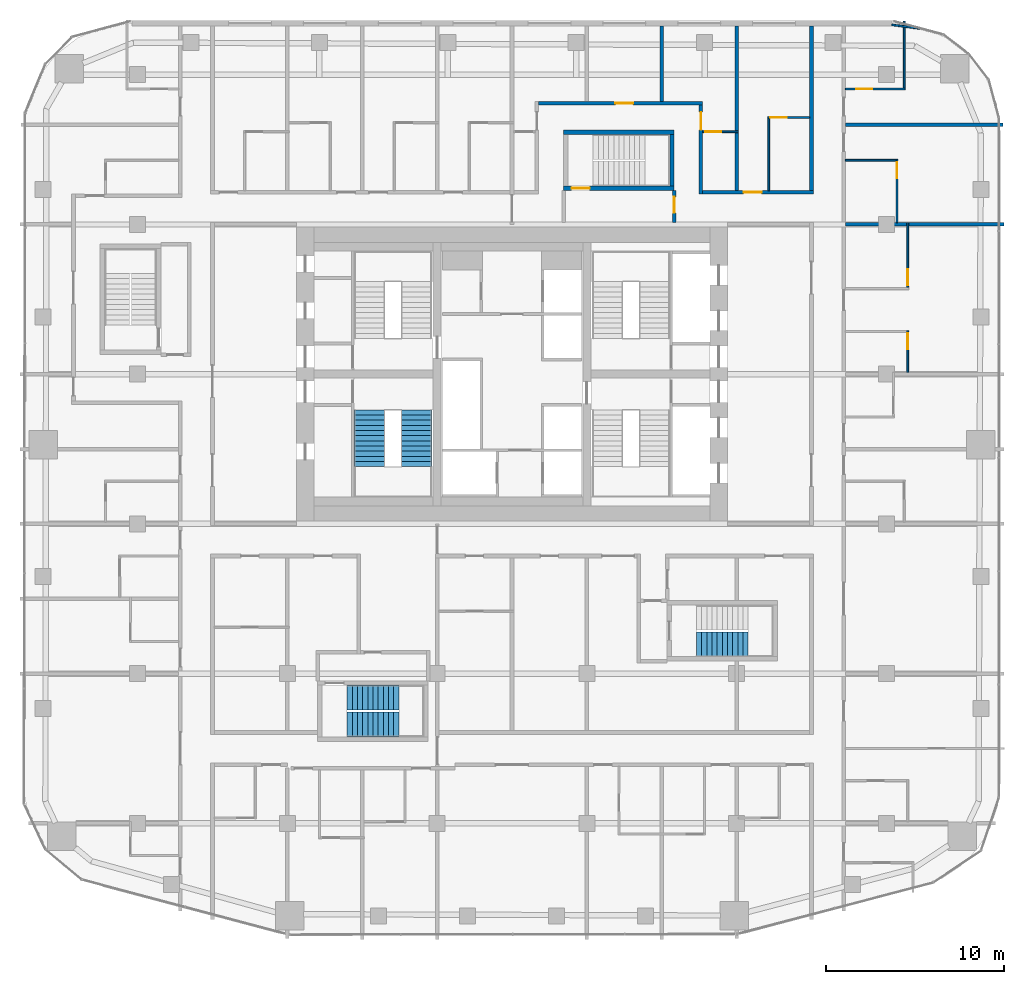
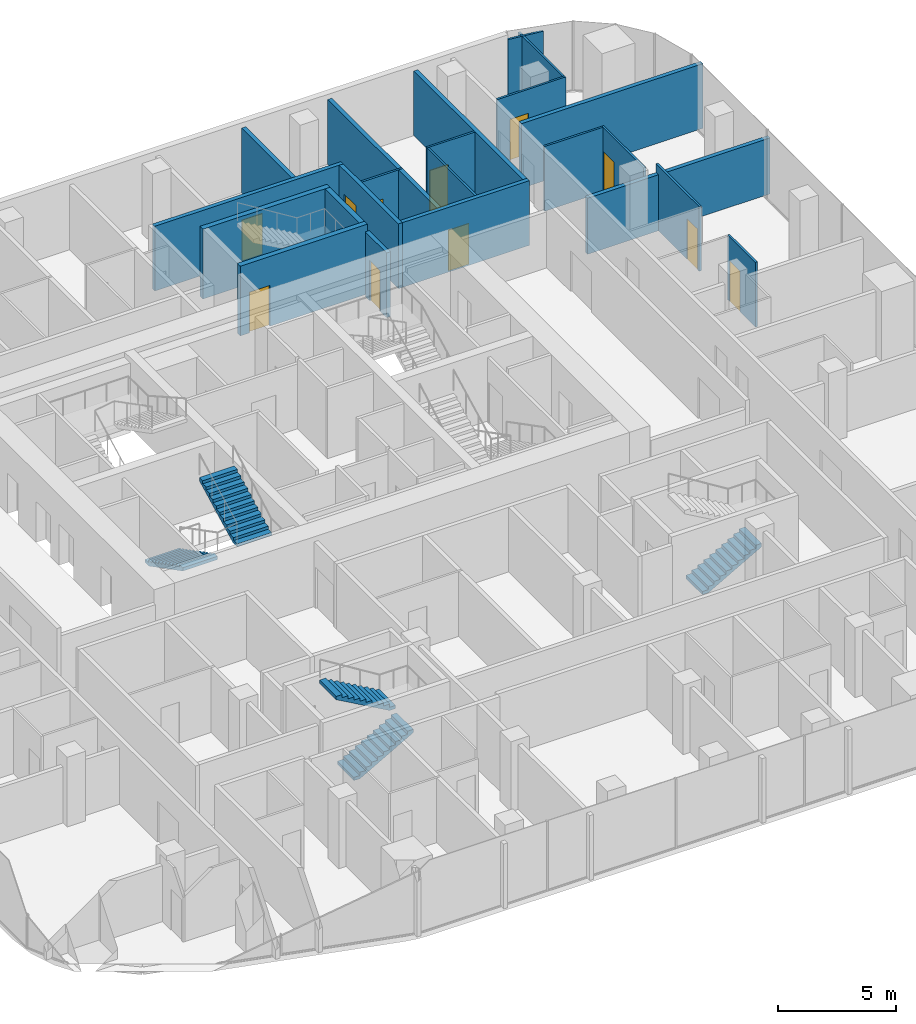
# One storey, part 20 of 23: 22 walls, 11 doors, 5 stair flights, 11 openings, 3 elements without a shape of their own.
"""IFC4 building model written with IfcOpenShell, lengths in metres."""

from ifc_helpers import new_model, si_unit, direction, frame, frame_2d, origin, place, context, subcontext, project, spatial, polyline, rectangle, outline, extrude, material, layer, layer_set, type_object, element, fill, aggregate, save


model = new_model("IFC4")

# Units and contexts
model_context = context("Model", 3, precision=1e-05, world=origin(), true_north=direction((0.0, 1.0)))
body_context = subcontext(model_context, "Body", "Model", "MODEL_VIEW")
ifc_project = project(units=[si_unit("LENGTHUNIT", "METRE"), si_unit("AREAUNIT", "SQUARE_METRE"), si_unit("VOLUMEUNIT", "CUBIC_METRE"), si_unit("PLANEANGLEUNIT", "RADIAN"), si_unit("MASSUNIT", "GRAM", prefix="KILO")], contexts=[model_context])

# Site, building, storey
site_placement = place(None, origin())
site = spatial("IfcSite", under=ifc_project, at=site_placement, CompositionType="ELEMENT")
building_placement = place(site_placement, origin())
building = spatial("IfcBuilding", under=site, at=building_placement, Name="Marenta Gate Hotel Tower", CompositionType="ELEMENT")
storey_placement = place(building_placement, frame((0.0, 0.0, 119.300048828125)))
storey = spatial("IfcBuildingStorey", under=building, at=storey_placement, Name="L26", CompositionType="ELEMENT", Elevation=119.300048828125)

# Wall, opening, door
ifc_material_1 = material(Name="Concrete C40", Category="concrete")
ifc_layer_1 = layer(ifc_material_1, 0.25)
ifc_layer_set_1 = layer_set([ifc_layer_1], Name="Concrete C40")
wall_type_1 = type_object("IfcWallType", Name="Remote stair enclosure wall 250 REI 180", PredefinedType="SHEAR", material=ifc_layer_set_1)
wall_1_placement = place(storey_placement, frame((2.89990234375, 18.824951171875, 0.099853515625), z_axis=(0.0, 0.0, 1.0), x_axis=(1.0, 0.0, 0.0)))
wall_1 = element("IfcWall", 1, at=wall_1_placement, inside=storey, type_object=wall_type_1, Name="L26-RS-Z2-4-W1", PredefinedType="SHEAR", context=body_context, shape_type="SweptSolid", body=[
    extrude(rectangle(XDim=6.2001953125, YDim=0.25, at=frame_2d((3.10009765625, 0.0))), origin(), (0.0, 0.0, 1.0), 3.60009765625),
])
opening_1_placement = place(wall_1_placement, frame((0.449951171875, 0.0, 0.0)))
opening_1 = element("IfcOpeningElement", 2, at=opening_1_placement, cuts=wall_1, Name="Opening VD", PredefinedType="OPENING", context=body_context, shape_type="SweptSolid", body=[
    extrude(rectangle(XDim=1.0, YDim=2.10009765625, at=frame_2d((0.5, 1.050048828125))), frame((0.0, 0.125, 0.0), z_axis=(0.0, -1.0, 0.0), x_axis=(1.0, 0.0, 0.0)), (0.0, 0.0, 1.0), 0.25),
])
ifc_material_2 = material(Name="Steel", Category="steel")
door_type_1 = type_object("IfcDoorType", Name="Stair vestibule door 1000x2100 FD60", OperationType="SINGLE_SWING_LEFT", PredefinedType="DOOR", material=ifc_material_2)
door_1_placement = place(opening_1_placement, origin())
door_1 = element("IfcDoor", 3, at=door_1_placement, inside=storey, type_object=door_type_1, Name="VD", OperationType="SINGLE_SWING_LEFT", OverallHeight=2.10009765625, OverallWidth=1.0, PredefinedType="DOOR", context=body_context, shape_type="SweptSolid", body=[
    extrude(rectangle(XDim=1.0, YDim=2.10009765625, at=frame_2d((0.5, 1.050048828125))), frame((0.0, 0.02490234375, 0.0), z_axis=(0.0, -1.0, 0.0), x_axis=(1.0, 0.0, 0.0)), (0.0, 0.0, 1.0), 0.050048828125),
])
fill(opening_1, door_1)

# Walls
wall_2_placement = place(storey_placement, frame((2.89990234375, 21.97509765625, 0.099853515625), z_axis=(0.0, 0.0, 1.0), x_axis=(1.0, 0.0, 0.0)))
element("IfcWall", 4, at=wall_2_placement, inside=storey, type_object=wall_type_1, Name="L26-RS-Z2-4-W2", PredefinedType="SHEAR", context=body_context, shape_type="SweptSolid", body=[
    extrude(rectangle(XDim=6.2001953125, YDim=0.25, at=frame_2d((3.10009765625, 0.0))), origin(), (0.0, 0.0, 1.0), 3.60009765625),
])
wall_3_placement = place(storey_placement, frame((8.97509765625, 18.949951171875, 0.099853515625), z_axis=(0.0, 0.0, 1.0), x_axis=(0.0, 1.0, 0.0)))
element("IfcWall", 5, at=wall_3_placement, inside=storey, type_object=wall_type_1, Name="L26-RS-Z2-4-W4", PredefinedType="SHEAR", context=body_context, shape_type="SweptSolid", body=[
    extrude(rectangle(XDim=2.900146484375, YDim=0.25, at=frame_2d((1.4501953125, 0.0))), origin(), (0.0, 0.0, 1.0), 3.60009765625),
])

# Wall, opening, door
ifc_material_3 = material(Name="Concrete blockwork", Category="masonry")
ifc_layer_2 = layer(ifc_material_3, 0.199951171875)
ifc_layer_set_2 = layer_set([ifc_layer_2], Name="Concrete blockwork")
wall_type_2 = type_object("IfcWallType", Name="Room corridor wall 200 EI 120", PredefinedType="PARTITIONING", material=ifc_layer_set_2)
wall_4_placement = place(storey_placement, frame((1.5, 23.60009765625, 0.0), z_axis=(0.0, 0.0, 1.0), x_axis=(1.0, 0.0, 0.0)))
wall_4 = element("IfcWall", 6, at=wall_4_placement, inside=storey, type_object=wall_type_2, Name="L26-PTN-W125", PredefinedType="PARTITIONING", context=body_context, shape_type="SweptSolid", body=[
    extrude(rectangle(XDim=9.199951171875, YDim=0.199951171875, at=frame_2d((4.60009765625, 0.0))), origin(), (0.0, 0.0, 1.0), 3.33984375),
])
opening_2_placement = place(wall_4_placement, frame((4.300048828125, 0.0, 0.0)))
opening_2 = element("IfcOpeningElement", 7, at=opening_2_placement, cuts=wall_4, Name="Opening G09-36", PredefinedType="OPENING", context=body_context, shape_type="SweptSolid", body=[
    extrude(rectangle(XDim=1.0, YDim=2.10009765625, at=frame_2d((0.5, 1.050048828125))), frame((0.0, 0.10009765625, 0.0), z_axis=(0.0, -1.0, 0.0), x_axis=(1.0, 0.0, 0.0)), (0.0, 0.0, 1.0), 0.199951171875),
])
ifc_material_4 = material(Name="Hollow steel door set", Category="steel")
door_type_2 = type_object("IfcDoorType", Name="Room service door 1000x2100 EI 60", OperationType="NOTDEFINED", PredefinedType="DOOR", material=ifc_material_4)
door_2_placement = place(opening_2_placement, origin())
door_2 = element("IfcDoor", 8, at=door_2_placement, inside=storey, type_object=door_type_2, Name="L26-PD-D036", OperationType="SINGLE_SWING_LEFT", OverallHeight=2.10009765625, OverallWidth=1.0, PredefinedType="DOOR", context=body_context, shape_type="SweptSolid", body=[
    extrude(rectangle(XDim=1.0, YDim=2.10009765625, at=frame_2d((0.5, 1.050048828125))), frame((0.0, 0.02490234375, 0.0), z_axis=(0.0, -1.0, 0.0), x_axis=(1.0, 0.0, 0.0)), (0.0, 0.0, 1.0), 0.050048828125),
])
fill(opening_2, door_2)

# Wall
ifc_material_5 = material(Name="Gypsum board on steel stud", Category="steel")
ifc_layer_3 = layer(ifc_material_5, 0.199951171875)
ifc_layer_set_3 = layer_set([ifc_layer_3], Name="Gypsum board on steel stud")
wall_type_3 = type_object("IfcWallType", Name="Room corridor wall 200 EI 60", PredefinedType="PARTITIONING", material=ifc_layer_set_3)
wall_5_placement = place(storey_placement, frame((16.800048828125, 18.699951171875, 0.0), z_axis=(0.0, 0.0, 1.0), x_axis=(0.0, 1.0, 0.0)))
element("IfcWall", 9, at=wall_5_placement, inside=storey, type_object=wall_type_3, Name="L26-PTN-W016", PredefinedType="PARTITIONING", context=body_context, shape_type="SweptSolid", body=[
    extrude(rectangle(XDim=9.239990234375, YDim=0.199951171875, at=frame_2d((4.6201171875, 0.0))), origin(), (0.0, 0.0, 1.0), 3.33984375),
])

# Wall, opening, door
wall_6_placement = place(storey_placement, frame((10.60009765625, 18.5, 0.0), z_axis=(0.0, 0.0, 1.0), x_axis=(0.0, 1.0, 0.0)))
wall_6 = element("IfcWall", 10, at=wall_6_placement, inside=storey, type_object=wall_type_3, Name="L26-PTN-W036", PredefinedType="PARTITIONING", context=body_context, shape_type="SweptSolid", body=[
    extrude(rectangle(XDim=5.0, YDim=0.199951171875, at=frame_2d((2.5, 0.0))), origin(), (0.0, 0.0, 1.0), 3.33984375),
])
opening_3_placement = place(wall_6_placement, frame((3.60009765625, 0.0, 0.0)))
opening_3 = element("IfcOpeningElement", 11, at=opening_3_placement, cuts=wall_6, Name="Opening G09-37", PredefinedType="OPENING", context=body_context, shape_type="SweptSolid", body=[
    extrude(rectangle(XDim=1.0, YDim=2.10009765625, at=frame_2d((0.5, 1.050048828125))), frame((0.0, 0.10009765625, 0.0), z_axis=(0.0, -1.0, 0.0), x_axis=(1.0, 0.0, 0.0)), (0.0, 0.0, 1.0), 0.199951171875),
])
ifc_material_6 = material(Name="Timber door leaf", Category="wood")
door_type_3 = type_object("IfcDoorType", Name="Guest room door 1000x2100 EI 30", OperationType="NOTDEFINED", PredefinedType="DOOR", material=ifc_material_6)
door_3_placement = place(opening_3_placement, origin())
door_3 = element("IfcDoor", 12, at=door_3_placement, inside=storey, type_object=door_type_3, Name="L26-PD-D037", OperationType="SINGLE_SWING_LEFT", OverallHeight=2.10009765625, OverallWidth=1.0, PredefinedType="DOOR", context=body_context, shape_type="SweptSolid", body=[
    extrude(rectangle(XDim=1.0, YDim=2.10009765625, at=frame_2d((0.5, 1.050048828125))), frame((0.0, 0.02490234375, 0.0), z_axis=(0.0, -1.0, 0.0), x_axis=(1.0, 0.0, 0.0)), (0.0, 0.0, 1.0), 0.050048828125),
])
fill(opening_3, door_3)

wall_7_placement = place(storey_placement, frame((10.699951171875, 18.60009765625, 0.0), z_axis=(0.0, 0.0, 1.0), x_axis=(1.0, 0.0, 0.0)))
wall_7 = element("IfcWall", 13, at=wall_7_placement, inside=storey, type_object=wall_type_3, Name="L26-PTN-W107", PredefinedType="PARTITIONING", context=body_context, shape_type="SweptSolid", body=[
    extrude(rectangle(XDim=6.199951171875, YDim=0.199951171875, at=frame_2d((3.10009765625, 0.0))), origin(), (0.0, 0.0, 1.0), 3.33984375),
])
opening_4_placement = place(wall_7_placement, frame((2.300048828125, 0.0, 0.0)))
opening_4 = element("IfcOpeningElement", 14, at=opening_4_placement, cuts=wall_7, Name="Opening G09-39", PredefinedType="OPENING", context=body_context, shape_type="SweptSolid", body=[
    extrude(rectangle(XDim=1.0, YDim=2.10009765625, at=frame_2d((0.5, 1.050048828125))), frame((0.0, 0.10009765625, 0.0), z_axis=(0.0, -1.0, 0.0), x_axis=(1.0, 0.0, 0.0)), (0.0, 0.0, 1.0), 0.199951171875),
])
door_4_placement = place(opening_4_placement, origin())
door_4 = element("IfcDoor", 15, at=door_4_placement, inside=storey, type_object=door_type_3, Name="L26-PD-D039", OperationType="SINGLE_SWING_RIGHT", OverallHeight=2.10009765625, OverallWidth=1.0, PredefinedType="DOOR", context=body_context, shape_type="SweptSolid", body=[
    extrude(rectangle(XDim=1.0, YDim=2.10009765625, at=frame_2d((0.5, 1.050048828125))), frame((0.0, 0.02490234375, 0.0), z_axis=(0.0, -1.0, 0.0), x_axis=(1.0, 0.0, 0.0)), (0.0, 0.0, 1.0), 0.050048828125),
])
fill(opening_4, door_4)

ifc_material_7 = material(Name="Concrete blockwork", Category="masonry")
ifc_layer_4 = layer(ifc_material_7, 0.199951171875)
ifc_layer_set_4 = layer_set([ifc_layer_4], Name="Concrete blockwork")
wall_type_4 = type_object("IfcWallType", Name="Room corridor wall 200 REI 180", PredefinedType="PARTITIONING", material=ifc_layer_set_4)
wall_8_placement = place(storey_placement, frame((9.10009765625, 16.89990234375, 0.0), z_axis=(0.0, 0.0, 1.0), x_axis=(0.0, 1.0, 0.0)))
wall_8 = element("IfcWall", 16, at=wall_8_placement, inside=storey, type_object=wall_type_4, Name="L26-PTN-W037", PredefinedType="PARTITIONING", context=body_context, shape_type="SweptSolid", body=[
    extrude(rectangle(XDim=1.800048828125, YDim=0.199951171875, at=frame_2d((0.89990234375, 0.0))), origin(), (0.0, 0.0, 1.0), 3.33984375),
])
opening_5_placement = place(wall_8_placement, frame((0.550048828125, 0.0, 0.0)))
opening_5 = element("IfcOpeningElement", 17, at=opening_5_placement, cuts=wall_8, Name="Opening G09-71", PredefinedType="OPENING", context=body_context, shape_type="SweptSolid", body=[
    extrude(rectangle(XDim=0.89990234375, YDim=2.10009765625, at=frame_2d((0.449951171875, 1.050048828125))), frame((0.0, 0.10009765625, 0.0), z_axis=(0.0, -1.0, 0.0), x_axis=(1.0, 0.0, 0.0)), (0.0, 0.0, 1.0), 0.199951171875),
])
ifc_material_8 = material(Name="Hollow steel door set", Category="steel")
door_type_4 = type_object("IfcDoorType", Name="Stair vestibule door 900x2100 EI 60", OperationType="NOTDEFINED", PredefinedType="DOOR", material=ifc_material_8)
door_5_placement = place(opening_5_placement, origin())
door_5 = element("IfcDoor", 18, at=door_5_placement, inside=storey, type_object=door_type_4, Name="L26-PD-D071", OperationType="SINGLE_SWING_RIGHT", OverallHeight=2.10009765625, OverallWidth=0.89990234375, PredefinedType="DOOR", context=body_context, shape_type="SweptSolid", body=[
    extrude(rectangle(XDim=0.89990234375, YDim=2.10009765625, at=frame_2d((0.449951171875, 1.050048828125))), frame((0.0, 0.02490234375, 0.0), z_axis=(0.0, -1.0, 0.0), x_axis=(1.0, 0.0, 0.0)), (0.0, 0.0, 1.0), 0.050048828125),
])
fill(opening_5, door_5)

ifc_material_9 = material(Name="Gypsum board on steel stud", Category="steel")
ifc_layer_5 = layer(ifc_material_9, 0.10009765625)
ifc_layer_set_5 = layer_set([ifc_layer_5], Name="Gypsum board on steel stud")
wall_type_5 = type_object("IfcWallType", Name="Room partition 100", PredefinedType="PARTITIONING", material=ifc_layer_set_5)
wall_9_placement = place(storey_placement, frame((22.199951171875, 8.5, 0.0), z_axis=(0.0, 0.0, 1.0), x_axis=(0.0, 1.0, 0.0)))
wall_9 = element("IfcWall", 19, at=wall_9_placement, inside=storey, type_object=wall_type_5, Name="L26-PTN-W003", PredefinedType="PARTITIONING", context=body_context, shape_type="SweptSolid", body=[
    extrude(rectangle(XDim=2.35009765625, YDim=0.10009765625, at=frame_2d((1.175048828125, 0.0))), origin(), (0.0, 0.0, 1.0), 3.33984375),
])
opening_6_placement = place(wall_9_placement, frame((1.300048828125, 0.0, 0.0)))
opening_6 = element("IfcOpeningElement", 20, at=opening_6_placement, cuts=wall_9, Name="Opening G09-21", PredefinedType="OPENING", context=body_context, shape_type="SweptSolid", body=[
    extrude(rectangle(XDim=0.89990234375, YDim=2.10009765625, at=frame_2d((0.449951171875, 1.050048828125))), frame((0.0, 0.050048828125, 0.0), z_axis=(0.0, -1.0, 0.0), x_axis=(1.0, 0.0, 0.0)), (0.0, 0.0, 1.0), 0.10009765625),
])
ifc_material_10 = material(Name="Timber door leaf", Category="wood")
door_type_5 = type_object("IfcDoorType", Name="Room inner door 900x2100", OperationType="NOTDEFINED", PredefinedType="DOOR", material=ifc_material_10)
door_6_placement = place(opening_6_placement, origin())
door_6 = element("IfcDoor", 21, at=door_6_placement, inside=storey, type_object=door_type_5, Name="L26-PD-D021", OperationType="SINGLE_SWING_RIGHT", OverallHeight=2.10009765625, OverallWidth=0.89990234375, PredefinedType="DOOR", context=body_context, shape_type="SweptSolid", body=[
    extrude(rectangle(XDim=0.89990234375, YDim=2.10009765625, at=frame_2d((0.449951171875, 1.050048828125))), frame((0.0, 0.02490234375, 0.0), z_axis=(0.0, -1.0, 0.0), x_axis=(1.0, 0.0, 0.0)), (0.0, 0.0, 1.0), 0.050048828125),
])
fill(opening_6, door_6)

wall_10_placement = place(storey_placement, frame((22.199951171875, 13.25, 0.0), z_axis=(0.0, 0.0, 1.0), x_axis=(0.0, 1.0, 0.0)))
wall_10 = element("IfcWall", 22, at=wall_10_placement, inside=storey, type_object=wall_type_5, Name="L26-PTN-W004", PredefinedType="PARTITIONING", context=body_context, shape_type="SweptSolid", body=[
    extrude(rectangle(XDim=3.64990234375, YDim=0.10009765625, at=frame_2d((1.824951171875, 0.0))), origin(), (0.0, 0.0, 1.0), 3.33984375),
])
opening_7_placement = place(wall_10_placement, frame((0.14990234375, 0.0, 0.0)))
opening_7 = element("IfcOpeningElement", 23, at=opening_7_placement, cuts=wall_10, Name="Opening G09-20", PredefinedType="OPENING", context=body_context, shape_type="SweptSolid", body=[
    extrude(rectangle(XDim=0.89990234375, YDim=2.10009765625, at=frame_2d((0.449951171875, 1.050048828125))), frame((0.0, 0.050048828125, 0.0), z_axis=(0.0, -1.0, 0.0), x_axis=(1.0, 0.0, 0.0)), (0.0, 0.0, 1.0), 0.10009765625),
])
ifc_material_11 = material(Name="Timber door leaf", Category="wood")
door_type_6 = type_object("IfcDoorType", Name="Guest bathroom door 900x2100", OperationType="NOTDEFINED", PredefinedType="DOOR", material=ifc_material_11)
door_7_placement = place(opening_7_placement, origin())
door_7 = element("IfcDoor", 24, at=door_7_placement, inside=storey, type_object=door_type_6, Name="L26-PD-D020", OperationType="SINGLE_SWING_LEFT", OverallHeight=2.10009765625, OverallWidth=0.89990234375, PredefinedType="DOOR", context=body_context, shape_type="SweptSolid", body=[
    extrude(rectangle(XDim=0.89990234375, YDim=2.10009765625, at=frame_2d((0.449951171875, 1.050048828125))), frame((0.0, 0.02490234375, 0.0), z_axis=(0.0, -1.0, 0.0), x_axis=(1.0, 0.0, 0.0)), (0.0, 0.0, 1.0), 0.050048828125),
])
fill(opening_7, door_7)

# Wall
wall_11_placement = place(storey_placement, frame((22.0, 24.449951171875, 0.0), z_axis=(0.0, 0.0, 1.0), x_axis=(0.0, 1.0, 0.0)))
element("IfcWall", 25, at=wall_11_placement, inside=storey, type_object=wall_type_5, Name="L26-PTN-W006", PredefinedType="PARTITIONING", context=body_context, shape_type="SweptSolid", body=[
    extrude(rectangle(XDim=3.758056640625, YDim=0.10009765625, at=frame_2d((1.87890625, 0.0))), origin(), (0.0, 0.0, 1.0), 3.33984375),
])

# Wall, opening, door
wall_12_placement = place(storey_placement, frame((21.60009765625, 16.89990234375, 0.0), z_axis=(0.0, 0.0, 1.0), x_axis=(0.0, 1.0, 0.0)))
wall_12 = element("IfcWall", 26, at=wall_12_placement, inside=storey, type_object=wall_type_5, Name="L26-PTN-W007", PredefinedType="PARTITIONING", context=body_context, shape_type="SweptSolid", body=[
    extrude(rectangle(XDim=3.550048828125, YDim=0.10009765625, at=frame_2d((1.77490234375, 0.0))), origin(), (0.0, 0.0, 1.0), 3.33984375),
])
opening_8_placement = place(wall_12_placement, frame((2.5, 0.0, 0.0)))
opening_8 = element("IfcOpeningElement", 27, at=opening_8_placement, cuts=wall_12, Name="Opening G09-23", PredefinedType="OPENING", context=body_context, shape_type="SweptSolid", body=[
    extrude(rectangle(XDim=0.89990234375, YDim=2.10009765625, at=frame_2d((0.449951171875, 1.050048828125))), frame((0.0, 0.050048828125, 0.0), z_axis=(0.0, -1.0, 0.0), x_axis=(1.0, 0.0, 0.0)), (0.0, 0.0, 1.0), 0.10009765625),
])
door_8_placement = place(opening_8_placement, origin())
door_8 = element("IfcDoor", 28, at=door_8_placement, inside=storey, type_object=door_type_6, Name="L26-PD-D023", OperationType="SINGLE_SWING_RIGHT", OverallHeight=2.10009765625, OverallWidth=0.89990234375, PredefinedType="DOOR", context=body_context, shape_type="SweptSolid", body=[
    extrude(rectangle(XDim=0.89990234375, YDim=2.10009765625, at=frame_2d((0.449951171875, 1.050048828125))), frame((0.0, 0.02490234375, 0.0), z_axis=(0.0, -1.0, 0.0), x_axis=(1.0, 0.0, 0.0)), (0.0, 0.0, 1.0), 0.050048828125),
])
fill(opening_8, door_8)

# Walls
wall_13_placement = place(storey_placement, frame((14.39990234375, 18.699951171875, 0.0), z_axis=(0.0, 0.0, 1.0), x_axis=(0.0, 1.0, 0.0)))
element("IfcWall", 29, at=wall_13_placement, inside=storey, type_object=wall_type_5, Name="L26-PTN-W023", PredefinedType="PARTITIONING", context=body_context, shape_type="SweptSolid", body=[
    extrude(rectangle(XDim=4.050048828125, YDim=0.10009765625, at=frame_2d((2.02490234375, 0.0))), origin(), (0.0, 0.0, 1.0), 3.33984375),
])
wall_14_placement = place(storey_placement, frame((18.699951171875, 20.39990234375, 0.0), z_axis=(0.0, 0.0, 1.0), x_axis=(1.0, 0.0, 0.0)))
element("IfcWall", 30, at=wall_14_placement, inside=storey, type_object=wall_type_5, Name="L26-PTN-W109", PredefinedType="PARTITIONING", context=body_context, shape_type="SweptSolid", body=[
    extrude(rectangle(XDim=2.85009765625, YDim=0.10009765625, at=frame_2d((1.425048828125, 0.0))), origin(), (0.0, 0.0, 1.0), 3.33984375),
])

# Wall, opening, door
wall_15_placement = place(storey_placement, frame((10.699951171875, 22.0, 0.0), z_axis=(0.0, 0.0, 1.0), x_axis=(1.0, 0.0, 0.0)))
wall_15 = element("IfcWall", 31, at=wall_15_placement, inside=storey, type_object=wall_type_5, Name="L26-PTN-W116", PredefinedType="PARTITIONING", context=body_context, shape_type="SweptSolid", body=[
    extrude(rectangle(XDim=2.0, YDim=0.10009765625, at=frame_2d((1.0, 0.0))), origin(), (0.0, 0.0, 1.0), 3.33984375),
])
opening_9_placement = place(wall_15_placement, frame((0.14990234375, 0.0, 0.0)))
opening_9 = element("IfcOpeningElement", 32, at=opening_9_placement, cuts=wall_15, Name="Opening G09-38", PredefinedType="OPENING", context=body_context, shape_type="SweptSolid", body=[
    extrude(rectangle(XDim=0.89990234375, YDim=2.10009765625, at=frame_2d((0.449951171875, 1.050048828125))), frame((0.0, 0.050048828125, 0.0), z_axis=(0.0, -1.0, 0.0), x_axis=(1.0, 0.0, 0.0)), (0.0, 0.0, 1.0), 0.10009765625),
])
door_9_placement = place(opening_9_placement, origin())
door_9 = element("IfcDoor", 33, at=door_9_placement, inside=storey, type_object=door_type_6, Name="L26-PD-D038", OperationType="SINGLE_SWING_RIGHT", OverallHeight=2.10009765625, OverallWidth=0.89990234375, PredefinedType="DOOR", context=body_context, shape_type="SweptSolid", body=[
    extrude(rectangle(XDim=0.89990234375, YDim=2.10009765625, at=frame_2d((0.449951171875, 1.050048828125))), frame((0.0, 0.02490234375, 0.0), z_axis=(0.0, -1.0, 0.0), x_axis=(1.0, 0.0, 0.0)), (0.0, 0.0, 1.0), 0.050048828125),
])
fill(opening_9, door_9)

wall_16_placement = place(storey_placement, frame((14.35009765625, 22.800048828125, 0.0), z_axis=(0.0, 0.0, 1.0), x_axis=(1.0, 0.0, 0.0)))
wall_16 = element("IfcWall", 34, at=wall_16_placement, inside=storey, type_object=wall_type_5, Name="L26-PTN-W124", PredefinedType="PARTITIONING", context=body_context, shape_type="SweptSolid", body=[
    extrude(rectangle(XDim=2.349853515625, YDim=0.10009765625, at=frame_2d((1.1748046875, 0.0))), origin(), (0.0, 0.0, 1.0), 3.33984375),
])
opening_10_placement = place(wall_16_placement, frame((0.14990234375, 0.0, 0.0)))
opening_10 = element("IfcOpeningElement", 35, at=opening_10_placement, cuts=wall_16, Name="Opening G09-40", PredefinedType="OPENING", context=body_context, shape_type="SweptSolid", body=[
    extrude(rectangle(XDim=0.89990234375, YDim=2.10009765625, at=frame_2d((0.449951171875, 1.050048828125))), frame((0.0, 0.050048828125, 0.0), z_axis=(0.0, -1.0, 0.0), x_axis=(1.0, 0.0, 0.0)), (0.0, 0.0, 1.0), 0.10009765625),
])
door_10_placement = place(opening_10_placement, origin())
door_10 = element("IfcDoor", 36, at=door_10_placement, inside=storey, type_object=door_type_6, Name="L26-PD-D040", OperationType="SINGLE_SWING_RIGHT", OverallHeight=2.10009765625, OverallWidth=0.89990234375, PredefinedType="DOOR", context=body_context, shape_type="SweptSolid", body=[
    extrude(rectangle(XDim=0.89990234375, YDim=2.10009765625, at=frame_2d((0.449951171875, 1.050048828125))), frame((0.0, 0.02490234375, 0.0), z_axis=(0.0, -1.0, 0.0), x_axis=(1.0, 0.0, 0.0)), (0.0, 0.0, 1.0), 0.050048828125),
])
fill(opening_10, door_10)

wall_17_placement = place(storey_placement, frame((18.699951171875, 24.39990234375, 0.0), z_axis=(0.0, 0.0, 1.0), x_axis=(1.0, 0.0, 0.0)))
wall_17 = element("IfcWall", 37, at=wall_17_placement, inside=storey, type_object=wall_type_5, Name="L26-PTN-W127", PredefinedType="PARTITIONING", context=body_context, shape_type="SweptSolid", body=[
    extrude(rectangle(XDim=3.35009765625, YDim=0.10009765625, at=frame_2d((1.675048828125, 0.0))), origin(), (0.0, 0.0, 1.0), 3.33984375),
])
opening_11_placement = place(wall_17_placement, frame((0.6201171875, 0.0, 0.0)))
opening_11 = element("IfcOpeningElement", 38, at=opening_11_placement, cuts=wall_17, Name="Opening G09-25", PredefinedType="OPENING", context=body_context, shape_type="SweptSolid", body=[
    extrude(rectangle(XDim=0.89990234375, YDim=2.10009765625, at=frame_2d((0.449951171875, 1.050048828125))), frame((0.0, 0.050048828125, 0.0), z_axis=(0.0, -1.0, 0.0), x_axis=(1.0, 0.0, 0.0)), (0.0, 0.0, 1.0), 0.10009765625),
])
door_11_placement = place(opening_11_placement, origin())
door_11 = element("IfcDoor", 39, at=door_11_placement, inside=storey, type_object=door_type_6, Name="L26-PD-D025", OperationType="SINGLE_SWING_RIGHT", OverallHeight=2.10009765625, OverallWidth=0.89990234375, PredefinedType="DOOR", context=body_context, shape_type="SweptSolid", body=[
    extrude(rectangle(XDim=0.89990234375, YDim=2.10009765625, at=frame_2d((0.449951171875, 1.050048828125))), frame((0.0, 0.02490234375, 0.0), z_axis=(0.0, -1.0, 0.0), x_axis=(1.0, 0.0, 0.0)), (0.0, 0.0, 1.0), 0.050048828125),
])
fill(opening_11, door_11)

# Walls
wall_18_placement = place(storey_placement, frame((21.31201171875, 27.998046875, 0.0), z_axis=(0.0, 0.0, 1.0), x_axis=(0.991547575144, -0.129743617284, 0.0)))
element("IfcWall", 40, at=wall_18_placement, inside=storey, type_object=wall_type_5, Name="L26-PTN-W129", PredefinedType="PARTITIONING", context=body_context, shape_type="SweptSolid", body=[
    extrude(rectangle(XDim=1.625732421875, YDim=0.10009765625, at=frame_2d((0.81298828125, 0.0))), origin(), (0.0, 0.0, 1.0), 3.33984375),
])
ifc_material_12 = material(Name="Concrete blockwork", Category="masonry")
ifc_layer_6 = layer(ifc_material_12, 0.199951171875)
ifc_layer_set_6 = layer_set([ifc_layer_6], Name="Concrete blockwork")
wall_type_6 = type_object("IfcWallType", Name="Room party wall 200 EI 120", PredefinedType="PARTITIONING", material=ifc_layer_set_6)
wall_19_placement = place(storey_placement, frame((8.39990234375, 23.699951171875, 0.0), z_axis=(0.0, 0.0, 1.0), x_axis=(0.0, 1.0, 0.0)))
element("IfcWall", 41, at=wall_19_placement, inside=storey, type_object=wall_type_6, Name="L26-PTN-W040", PredefinedType="PARTITIONING", context=body_context, shape_type="SweptSolid", body=[
    extrude(rectangle(XDim=4.239990234375, YDim=0.199951171875, at=frame_2d((2.1201171875, 0.0))), origin(), (0.0, 0.0, 1.0), 3.33984375),
])
ifc_material_13 = material(Name="Gypsum board on steel stud", Category="steel")
ifc_layer_7 = layer(ifc_material_13, 0.199951171875)
ifc_layer_set_7 = layer_set([ifc_layer_7], Name="Gypsum board on steel stud")
wall_type_7 = type_object("IfcWallType", Name="Room party wall 200 EI 60", PredefinedType="PARTITIONING", material=ifc_layer_set_7)
wall_20_placement = place(storey_placement, frame((12.60009765625, 18.699951171875, 0.0), z_axis=(0.0, 0.0, 1.0), x_axis=(0.0, 1.0, 0.0)))
element("IfcWall", 42, at=wall_20_placement, inside=storey, type_object=wall_type_7, Name="L26-PTN-W031", PredefinedType="PARTITIONING", context=body_context, shape_type="SweptSolid", body=[
    extrude(rectangle(XDim=9.239990234375, YDim=0.199951171875, at=frame_2d((4.6201171875, 0.0))), origin(), (0.0, 0.0, 1.0), 3.33984375),
])
wall_21_placement = place(storey_placement, frame((18.699951171875, 16.800048828125, 0.0), z_axis=(0.0, 0.0, 1.0), x_axis=(1.0, 0.0, 0.0)))
element("IfcWall", 43, at=wall_21_placement, inside=storey, type_object=wall_type_7, Name="L26-PTN-W101", PredefinedType="PARTITIONING", context=body_context, shape_type="SweptSolid", body=[
    extrude(rectangle(XDim=8.900146484375, YDim=0.199951171875, at=frame_2d((4.4501953125, 0.0))), origin(), (0.0, 0.0, 1.0), 2.889892578125),
])
wall_22_placement = place(storey_placement, frame((18.699951171875, 22.39990234375, 0.0), z_axis=(0.0, 0.0, 1.0), x_axis=(1.0, 0.0, 0.0)))
element("IfcWall", 44, at=wall_22_placement, inside=storey, type_object=wall_type_7, Name="L26-PTN-W118", PredefinedType="PARTITIONING", context=body_context, shape_type="SweptSolid", body=[
    extrude(rectangle(XDim=8.84716796875, YDim=0.199951171875, at=frame_2d((4.423583984375, 0.0))), origin(), (0.0, 0.0, 1.0), 3.33984375),
])

# Stair, stair flights
ifc_material_14 = material(Name="Concrete C40", Category="concrete")
stair_type_1 = type_object("IfcStairType", Name="Core exit stair 1700 wide", PredefinedType="HALF_TURN_STAIR", material=ifc_material_14)
stair_1_placement = place(storey_placement, origin())
stair_1 = element("IfcStair", 45, at=stair_1_placement, inside=storey, type_object=stair_type_1, Name="Exit stair 1", PredefinedType="HALF_TURN_STAIR")
ifc_material_15 = material(Name="Concrete C40", Category="concrete")
stair_flight_type_1 = type_object("IfcStairFlightType", Name="Core stair flight 1700 riser 150.0 going 290", PredefinedType="STRAIGHT", material=ifc_material_15)
stair_flight_1_placement = place(storey_placement, frame((-8.0, 6.39990234375, 0.0), z_axis=(0.0, 0.0, 1.0), x_axis=(0.0, -1.0, 0.0)))
stair_flight_1 = element("IfcStairFlight", 46, at=stair_flight_1_placement, type_object=stair_flight_type_1, Name="ST1 flight 1", NumberOfRisers=12, NumberOfTreads=11, PredefinedType="STRAIGHT", RiserHeight=0.15, TreadLength=0.29, context=body_context, shape_type="SweptSolid", body=[
    extrude(outline(polyline([(0.0, 0.0), (0.0, 0.14990234375), (0.2900390625, 0.14990234375), (0.2900390625, 0.300048828125), (0.580078125, 0.300048828125), (0.580078125, 0.449951171875), (0.8701171875, 0.449951171875), (0.8701171875, 0.60009765625), (1.159912109375, 0.60009765625), (1.159912109375, 0.75), (1.449951171875, 0.75), (1.449951171875, 0.89990234375), (1.739990234375, 0.89990234375), (1.739990234375, 1.050048828125), (2.030029296875, 1.050048828125), (2.030029296875, 1.199951171875), (2.320068359375, 1.199951171875), (2.320068359375, 1.35009765625), (2.610107421875, 1.35009765625), (2.610107421875, 1.5), (2.89990234375, 1.5), (2.89990234375, 1.64990234375), (3.18994140625, 1.64990234375), (3.18994140625, 1.800048828125), (3.18994140625, 1.481201171875), (0.326171875, 0.0), (0.0, 0.0)])), frame((0.0, 0.85009765625, 0.0), z_axis=(0.0, -1.0, 0.0), x_axis=(1.0, 0.0, 0.0)), (0.0, 0.0, 1.0), 1.699951171875),
])
stair_flight_2_placement = place(storey_placement, frame((-5.35009765625, 3.2099609375, 1.800048828125), z_axis=(0.0, 0.0, 1.0), x_axis=(0.0, 1.0, 0.0)))
stair_flight_2 = element("IfcStairFlight", 47, at=stair_flight_2_placement, type_object=stair_flight_type_1, Name="ST1 flight 2", NumberOfRisers=12, NumberOfTreads=11, PredefinedType="STRAIGHT", RiserHeight=0.15, TreadLength=0.29, context=body_context, shape_type="SweptSolid", body=[
    extrude(outline(polyline([(0.0, 0.0), (0.0, 0.14990234375), (0.2900390625, 0.14990234375), (0.2900390625, 0.300048828125), (0.580078125, 0.300048828125), (0.580078125, 0.449951171875), (0.8701171875, 0.449951171875), (0.8701171875, 0.60009765625), (1.159912109375, 0.60009765625), (1.159912109375, 0.75), (1.449951171875, 0.75), (1.449951171875, 0.89990234375), (1.739990234375, 0.89990234375), (1.739990234375, 1.050048828125), (2.030029296875, 1.050048828125), (2.030029296875, 1.199951171875), (2.320068359375, 1.199951171875), (2.320068359375, 1.35009765625), (2.610107421875, 1.35009765625), (2.610107421875, 1.5), (2.89990234375, 1.5), (2.89990234375, 1.64990234375), (3.18994140625, 1.64990234375), (3.18994140625, 1.800048828125), (3.18994140625, 1.481201171875), (0.326171875, 0.0), (0.0, 0.0)])), frame((0.0, 0.85009765625, 0.0), z_axis=(0.0, -1.0, 0.0), x_axis=(1.0, 0.0, 0.0)), (0.0, 0.0, 1.0), 1.699951171875),
])
aggregate(stair_1, [stair_flight_1, stair_flight_2])

ifc_material_16 = material(Name="Concrete C40", Category="concrete")
stair_type_2 = type_object("IfcStairType", Name="Remote exit stair 1400 wide", PredefinedType="HALF_TURN_STAIR", material=ifc_material_16)
stair_2_placement = place(storey_placement, origin())
stair_2 = element("IfcStair", 48, at=stair_2_placement, inside=storey, type_object=stair_type_2, Name="Exit stair RS-Z2-1", PredefinedType="HALF_TURN_STAIR")
ifc_material_17 = material(Name="Concrete C40", Category="concrete")
stair_flight_type_2 = type_object("IfcStairFlightType", Name="Remote stair flight 1400 riser 163.6 going 290", PredefinedType="STRAIGHT", material=ifc_material_17)
stair_flight_3_placement = place(storey_placement, frame((-9.25, -11.25, 0.0), z_axis=(0.0, 0.0, 1.0), x_axis=(1.0, 0.0, 0.0)))
stair_flight_3 = element("IfcStairFlight", 49, at=stair_flight_3_placement, type_object=stair_flight_type_2, Name="RS-Z2-1 flight 1", NumberOfRisers=11, NumberOfTreads=10, PredefinedType="STRAIGHT", RiserHeight=0.163636, TreadLength=0.29, context=body_context, shape_type="SweptSolid", body=[
    extrude(outline(polyline([(0.0, 0.0), (0.0, 0.16357421875), (0.2900390625, 0.16357421875), (0.2900390625, 0.327392578125), (0.580078125, 0.327392578125), (0.580078125, 0.490966796875), (0.8701171875, 0.490966796875), (0.8701171875, 0.654541015625), (1.159912109375, 0.654541015625), (1.159912109375, 0.818115234375), (1.449951171875, 0.818115234375), (1.449951171875, 0.98193359375), (1.739990234375, 0.98193359375), (1.739990234375, 1.1455078125), (2.030029296875, 1.1455078125), (2.030029296875, 1.30908203125), (2.320068359375, 1.30908203125), (2.320068359375, 1.47265625), (2.610107421875, 1.47265625), (2.610107421875, 1.636474609375), (2.89990234375, 1.636474609375), (2.89990234375, 1.800048828125), (2.89990234375, 1.46435546875), (0.304931640625, 0.0), (0.0, 0.0)])), frame((0.0, 0.699951171875, 0.0), z_axis=(0.0, -1.0, 0.0), x_axis=(1.0, 0.0, 0.0)), (0.0, 0.0, 1.0), 1.39990234375),
])
stair_flight_4_placement = place(storey_placement, frame((-6.35009765625, -9.75, 1.800048828125), z_axis=(0.0, 0.0, 1.0), x_axis=(-1.0, 0.0, 0.0)))
stair_flight_4 = element("IfcStairFlight", 50, at=stair_flight_4_placement, type_object=stair_flight_type_2, Name="RS-Z2-1 flight 2", NumberOfRisers=11, NumberOfTreads=10, PredefinedType="STRAIGHT", RiserHeight=0.163636, TreadLength=0.29, context=body_context, shape_type="SweptSolid", body=[
    extrude(outline(polyline([(0.0, 0.0), (0.0, 0.16357421875), (0.2900390625, 0.16357421875), (0.2900390625, 0.327392578125), (0.580078125, 0.327392578125), (0.580078125, 0.490966796875), (0.8701171875, 0.490966796875), (0.8701171875, 0.654541015625), (1.159912109375, 0.654541015625), (1.159912109375, 0.818115234375), (1.449951171875, 0.818115234375), (1.449951171875, 0.98193359375), (1.739990234375, 0.98193359375), (1.739990234375, 1.1455078125), (2.030029296875, 1.1455078125), (2.030029296875, 1.30908203125), (2.320068359375, 1.30908203125), (2.320068359375, 1.47265625), (2.610107421875, 1.47265625), (2.610107421875, 1.636474609375), (2.89990234375, 1.636474609375), (2.89990234375, 1.800048828125), (2.89990234375, 1.46435546875), (0.304931640625, 0.0), (0.0, 0.0)])), frame((0.0, 0.699951171875, 0.0), z_axis=(0.0, -1.0, 0.0), x_axis=(1.0, 0.0, 0.0)), (0.0, 0.0, 1.0), 1.39990234375),
])
aggregate(stair_2, [stair_flight_3, stair_flight_4])

# Stair, stair flight
stair_3_placement = place(storey_placement, origin())
stair_3 = element("IfcStair", 51, at=stair_3_placement, inside=storey, type_object=stair_type_2, Name="Exit stair RS-Z2-2", PredefinedType="HALF_TURN_STAIR")
stair_flight_5_placement = place(storey_placement, frame((10.35009765625, -6.75, 0.0), z_axis=(0.0, 0.0, 1.0), x_axis=(1.0, 0.0, 0.0)))
stair_flight_5 = element("IfcStairFlight", 52, at=stair_flight_5_placement, type_object=stair_flight_type_2, Name="RS-Z2-2 flight 1", NumberOfRisers=11, NumberOfTreads=10, PredefinedType="STRAIGHT", RiserHeight=0.163636, TreadLength=0.29, context=body_context, shape_type="SweptSolid", body=[
    extrude(outline(polyline([(0.0, 0.0), (0.0, 0.16357421875), (0.2900390625, 0.16357421875), (0.2900390625, 0.327392578125), (0.580078125, 0.327392578125), (0.580078125, 0.490966796875), (0.8701171875, 0.490966796875), (0.8701171875, 0.654541015625), (1.159912109375, 0.654541015625), (1.159912109375, 0.818115234375), (1.449951171875, 0.818115234375), (1.449951171875, 0.98193359375), (1.739990234375, 0.98193359375), (1.739990234375, 1.1455078125), (2.030029296875, 1.1455078125), (2.030029296875, 1.30908203125), (2.320068359375, 1.30908203125), (2.320068359375, 1.47265625), (2.610107421875, 1.47265625), (2.610107421875, 1.636474609375), (2.89990234375, 1.636474609375), (2.89990234375, 1.800048828125), (2.89990234375, 1.46435546875), (0.304931640625, 0.0), (0.0, 0.0)])), frame((0.0, 0.699951171875, 0.0), z_axis=(0.0, -1.0, 0.0), x_axis=(1.0, 0.0, 0.0)), (0.0, 0.0, 1.0), 1.39990234375),
])
aggregate(stair_3, [stair_flight_5])

save(model, "model.ifc")
